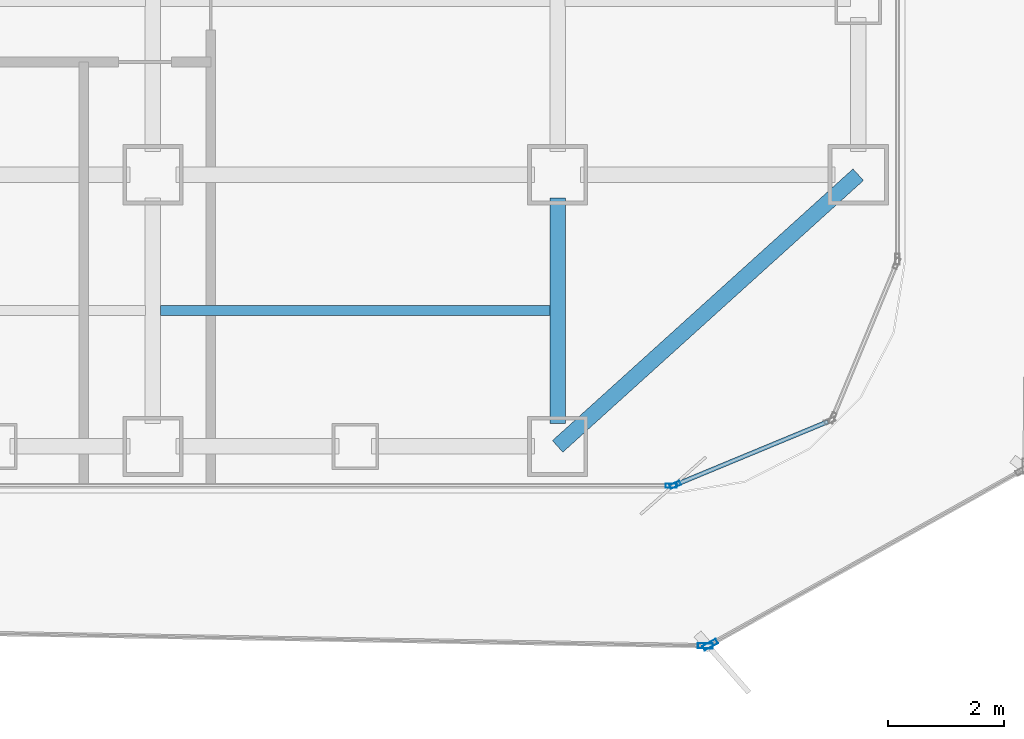
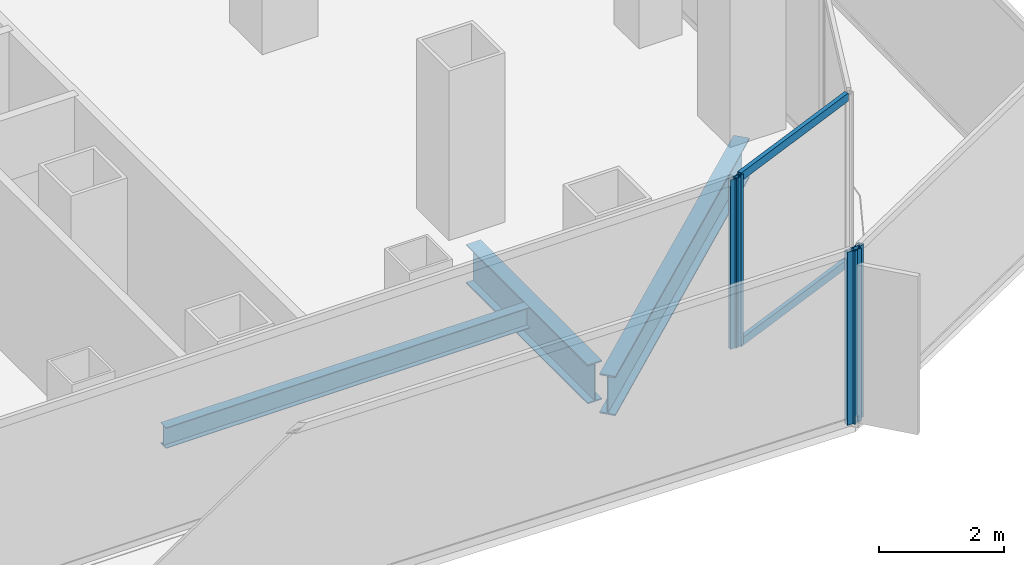
# One storey, part 6 of 21: 6 members, 3 beams, 4 elements without a shape of their own.
"""IFC4 building model written with IfcOpenShell, lengths in metres."""

from ifc_helpers import new_model, si_unit, direction, frame, origin, origin_2d, place, context, subcontext, project, spatial, hollow_rectangle, i_section, extrude, source, transform, mapped, material, layer, layer_set, material_profile, profile_set, type_object, element, aggregate, save


model = new_model("IFC4")

# Units and contexts
model_context = context("Model", 3, precision=1e-05, world=origin(), true_north=direction((0.0, 1.0)))
body_context = subcontext(model_context, "Body", "Model", "MODEL_VIEW")
ifc_project = project(units=[si_unit("LENGTHUNIT", "METRE"), si_unit("AREAUNIT", "SQUARE_METRE"), si_unit("VOLUMEUNIT", "CUBIC_METRE"), si_unit("PLANEANGLEUNIT", "RADIAN"), si_unit("MASSUNIT", "GRAM", prefix="KILO")], contexts=[model_context])

# Site, building, storey
site_placement = place(None, origin())
site = spatial("IfcSite", under=ifc_project, at=site_placement, CompositionType="ELEMENT")
building_placement = place(site_placement, origin())
building = spatial("IfcBuilding", under=site, at=building_placement, Name="Kolveth Station Tower", CompositionType="ELEMENT")
storey_placement = place(building_placement, frame((0.0, 0.0, 58.5)))
storey = spatial("IfcBuildingStorey", under=building, at=storey_placement, Name="L15", CompositionType="ELEMENT", Elevation=58.5)

# Beams
ifc_material_1 = material(Name="Steel S355", Category="steel")
ifc_material_profile_1 = material_profile(ifc_material_1, i_section(OverallWidth=0.26904296875, OverallDepth=0.77490234375, WebThickness=0.01708984375, FlangeThickness=0.0283203125, at=origin_2d()), Name="W760x220")
ifc_profile_set_1 = profile_set([ifc_material_profile_1], Name="Steel S355")
beam_type_1 = type_object("IfcBeamType", Name="Beam_SP1", PredefinedType="SPANDREL", material=ifc_profile_set_1)
shared_shape_1 = source(origin(), body_context, "Body", "SweptSolid", [
    extrude(i_section(OverallWidth=0.26904296875, OverallDepth=0.77490234375, WebThickness=0.01708984375, FlangeThickness=0.0283203125, at=origin_2d()), origin(), (0.0, 0.0, 1.0), 7.00927734375),
])
beam_1_placement = place(storey_placement, frame((41.0, 0.800048828125, -0.66748046875), z_axis=(0.741874009795, 0.670539300557, 0.0), x_axis=(-0.670539300557, 0.741874009795, 0.0)))
element("IfcBeam", 1, at=beam_1_placement, inside=storey, type_object=beam_type_1, Name="L15 Corner Edge Girder BM-L15-CNR-SE", PredefinedType="SPANDREL", context=body_context, shape_type="MappedRepresentation", body=[
    mapped(shared_shape_1, transform((0.0, 0.0, 0.0), x_axis=(1.0, 0.0, 0.0), y_axis=(0.0, 1.0, 0.0), z_axis=(0.0, 0.0, 1.0), scale=1.0)),
])
ifc_material_profile_2 = material_profile(ifc_material_1, i_section(OverallWidth=0.26708984375, OverallDepth=0.76611328125, WebThickness=0.014892578125, FlangeThickness=0.023681640625, at=origin_2d()), Name="W760x185")
ifc_profile_set_2 = profile_set([ifc_material_profile_2], Name="Steel S355")
beam_type_2 = type_object("IfcBeamType", Name="Beam_B3", PredefinedType="BEAM", material=ifc_profile_set_2)
shared_shape_2 = source(origin(), body_context, "Body", "SweptSolid", [
    extrude(i_section(OverallWidth=0.26708984375, OverallDepth=0.76611328125, WebThickness=0.014892578125, FlangeThickness=0.023681640625, at=origin_2d()), origin(), (0.0, 0.0, 1.0), 3.900146484375),
])
beam_2_placement = place(storey_placement, frame((41.0, 1.199951171875, -0.6630859375), z_axis=(0.0, 1.0, 0.0), x_axis=(-1.0, 0.0, 0.0)))
element("IfcBeam", 2, at=beam_2_placement, inside=storey, type_object=beam_type_2, Name="L15 Primary Girder BM-L15-GX410-1", PredefinedType="BEAM", context=body_context, shape_type="MappedRepresentation", body=[
    mapped(shared_shape_2, transform((0.0, 0.0, 0.0), x_axis=(1.0, 0.0, 0.0), y_axis=(0.0, 1.0, 0.0), z_axis=(0.0, 0.0, 1.0), scale=1.0)),
])
ifc_material_profile_3 = material_profile(ifc_material_1, i_section(OverallWidth=0.177978515625, OverallDepth=0.406982421875, WebThickness=0.0078125, FlangeThickness=0.0126953125, at=origin_2d()), Name="W410x60")
ifc_profile_set_3 = profile_set([ifc_material_profile_3], Name="Steel S355")
beam_type_3 = type_object("IfcBeamType", Name="Beam_J1", PredefinedType="JOIST", material=ifc_profile_set_3)
shared_shape_3 = source(origin(), body_context, "Body", "SweptSolid", [
    extrude(i_section(OverallWidth=0.177978515625, OverallDepth=0.406982421875, WebThickness=0.0078125, FlangeThickness=0.0126953125, at=origin_2d()), origin(), (0.0, 0.0, 1.0), 6.73681640625),
])
beam_3_placement = place(storey_placement, frame((34.131591796875, 3.14990234375, -0.4833984375), z_axis=(1.0, 0.0, 0.0), x_axis=(0.0, 1.0, 0.0)))
element("IfcBeam", 3, at=beam_3_placement, inside=storey, type_object=beam_type_3, Name="L15 Secondary Joist JST-L15-6-1", PredefinedType="JOIST", context=body_context, shape_type="MappedRepresentation", body=[
    mapped(shared_shape_3, transform((0.0, 0.0, 0.0), x_axis=(1.0, 0.0, 0.0), y_axis=(0.0, 1.0, 0.0), z_axis=(0.0, 0.0, 1.0), scale=1.0)),
])

# Curtain wall, member
ifc_material_2 = material(Name="Aluminium 6063-T6 and low-E dark glass", Category="aluminium")
ifc_layer_1 = layer(ifc_material_2, 0.179931640625)
ifc_layer_set_1 = layer_set([ifc_layer_1], Name="Aluminium 6063-T6 and low-E dark glass")
curtain_wall_type_1 = type_object("IfcCurtainWallType", Name="CurtainWall_CW-Z1", PredefinedType="NOTDEFINED", material=ifc_layer_set_1)
curtain_wall_1_placement = place(storey_placement, origin())
curtain_wall_1 = element("IfcCurtainWall", 4, at=curtain_wall_1_placement, inside=storey, type_object=curtain_wall_type_1, Name="L15 Inner Thermal Curtain Wall 1", PredefinedType="NOTDEFINED")
ifc_material_3 = material(Name="Black anodized aluminium 6063-T6", Category="aluminium")
ifc_material_profile_4 = material_profile(ifc_material_3, hollow_rectangle(XDim=0.074951171875, YDim=0.18994140625, WallThickness=0.0048828125, at=origin_2d()), Name="ALU-75x190x5")
ifc_profile_set_4 = profile_set([ifc_material_profile_4], Name="Black anodized aluminium 6063-T6")
member_type_1 = type_object("IfcMemberType", Name="Mullion_ML1", PredefinedType="MULLION", material=ifc_profile_set_4)
shared_shape_4 = source(origin(), body_context, "Body", "SweptSolid", [
    extrude(hollow_rectangle(XDim=0.074951171875, YDim=0.18994140625, WallThickness=0.0048828125, at=origin_2d()), origin(), (0.0, 0.0, 1.0), 3.320068359375),
])
member_1_placement = place(storey_placement, frame((43.03466796875, 0.13427734375, 0.0), z_axis=(0.0, 0.0, 1.0), x_axis=(-0.382672990201, 0.923883857728, 0.0)))
member_1 = element("IfcMember", 5, at=member_1_placement, type_object=member_type_1, Name="CW-Z1 mullion 1", PredefinedType="MULLION", context=body_context, shape_type="MappedRepresentation", body=[
    mapped(shared_shape_4, transform((0.0, 0.0, 0.0), x_axis=(1.0, 0.0, 0.0), y_axis=(0.0, 1.0, 0.0), z_axis=(0.0, 0.0, 1.0), scale=1.0)),
])

curtain_wall_2_placement = place(storey_placement, origin())
curtain_wall_2 = element("IfcCurtainWall", 6, at=curtain_wall_2_placement, inside=storey, type_object=curtain_wall_type_1, Name="L15 Inner Thermal Curtain Wall 12", PredefinedType="NOTDEFINED")
member_2_placement = place(storey_placement, frame((42.96240234375, 0.1201171875, 0.0), z_axis=(0.0, 0.0, 1.0), x_axis=(0.0, 1.0, 0.0)))
member_2 = element("IfcMember", 7, at=member_2_placement, type_object=member_type_1, Name="CW-Z1 mullion 3", PredefinedType="MULLION", context=body_context, shape_type="MappedRepresentation", body=[
    mapped(shared_shape_4, transform((0.0, 0.0, 0.0), x_axis=(1.0, 0.0, 0.0), y_axis=(0.0, 1.0, 0.0), z_axis=(0.0, 0.0, 1.0), scale=1.0)),
])
aggregate(curtain_wall_2, [member_2])

# Member
ifc_material_profile_5 = material_profile(ifc_material_3, hollow_rectangle(XDim=0.074951171875, YDim=0.159912109375, WallThickness=0.0048828125, at=origin_2d()), Name="ALU-75x160x5")
ifc_profile_set_5 = profile_set([ifc_material_profile_5], Name="Black anodized aluminium 6063-T6")
member_type_2 = type_object("IfcMemberType", Name="Transom_TR1", PredefinedType="USERDEFINED", material=ifc_profile_set_5)
shared_shape_5 = source(origin(), body_context, "Body", "SweptSolid", [
    extrude(hollow_rectangle(XDim=0.074951171875, YDim=0.159912109375, WallThickness=0.0048828125, at=origin_2d()), origin(), (0.0, 0.0, 1.0), 2.819580078125),
])
member_3_placement = place(storey_placement, frame((43.0693359375, 0.148681640625, 0.03759765625), z_axis=(0.923869084389, 0.382708655389, 0.0), x_axis=(-0.382708655389, 0.923869084389, 0.0)))
member_3 = element("IfcMember", 8, at=member_3_placement, type_object=member_type_2, Name="CW-Z1 transom 1.1", ObjectType="TRANSOM", PredefinedType="USERDEFINED", context=body_context, shape_type="MappedRepresentation", body=[
    mapped(shared_shape_5, transform((0.0, 0.0, 0.0), x_axis=(1.0, 0.0, 0.0), y_axis=(0.0, 1.0, 0.0), z_axis=(0.0, 0.0, 1.0), scale=1.0)),
])

member_4_placement = place(storey_placement, frame((43.0693359375, 0.148681640625, 3.282470703125), z_axis=(0.923869084389, 0.382708655389, 0.0), x_axis=(-0.382708655389, 0.923869084389, 0.0)))
member_4 = element("IfcMember", 9, at=member_4_placement, type_object=member_type_2, Name="CW-Z1 transom 1.2", ObjectType="TRANSOM", PredefinedType="USERDEFINED", context=body_context, shape_type="MappedRepresentation", body=[
    mapped(shared_shape_5, transform((0.0, 0.0, 0.0), x_axis=(1.0, 0.0, 0.0), y_axis=(0.0, 1.0, 0.0), z_axis=(0.0, 0.0, 1.0), scale=1.0)),
])

aggregate(curtain_wall_1, [member_1, member_3, member_4])

# Curtain wall, member
ifc_material_4 = material(Name="Black anodized aluminium 6063-T6 and dark solar glass", Category="aluminium")
ifc_layer_2 = layer(ifc_material_4, 0.159912109375)
ifc_layer_set_2 = layer_set([ifc_layer_2], Name="Black anodized aluminium 6063-T6 and dark solar glass")
curtain_wall_type_2 = type_object("IfcCurtainWallType", Name="OUTER SKIN CW-OS", PredefinedType="NOTDEFINED", material=ifc_layer_set_2)
curtain_wall_3_placement = place(storey_placement, origin())
curtain_wall_3 = element("IfcCurtainWall", 10, at=curtain_wall_3_placement, inside=storey, type_object=curtain_wall_type_2, Name="L15 Outer Ventilated Skin Curtain Wall 1", PredefinedType="NOTDEFINED")
ifc_material_profile_6 = material_profile(ifc_material_3, hollow_rectangle(XDim=0.090087890625, YDim=0.260009765625, WallThickness=0.0048828125, at=origin_2d()), Name="ALU-90x260x5")
ifc_profile_set_6 = profile_set([ifc_material_profile_6], Name="Black anodized aluminium 6063-T6")
member_type_3 = type_object("IfcMemberType", Name="FIN MULLION ML-OS", PredefinedType="MULLION", material=ifc_profile_set_6)
shared_shape_6 = source(origin(), body_context, "Body", "SweptSolid", [
    extrude(hollow_rectangle(XDim=0.090087890625, YDim=0.260009765625, WallThickness=0.0048828125, at=origin_2d()), origin(), (0.0, 0.0, 1.0), 3.389892578125),
])
member_5_placement = place(storey_placement, frame((43.640625, -2.62939453125, 0.0), z_axis=(0.0, 0.0, 1.0), x_axis=(-0.487713670316, 0.873003651646, 0.0)))
member_5 = element("IfcMember", 11, at=member_5_placement, type_object=member_type_3, Name="CW-OS mullion 1", PredefinedType="MULLION", context=body_context, shape_type="MappedRepresentation", body=[
    mapped(shared_shape_6, transform((0.0, 0.0, 0.0), x_axis=(1.0, 0.0, 0.0), y_axis=(0.0, 1.0, 0.0), z_axis=(0.0, 0.0, 1.0), scale=1.0)),
])
aggregate(curtain_wall_3, [member_5])

curtain_wall_4_placement = place(storey_placement, origin())
curtain_wall_4 = element("IfcCurtainWall", 12, at=curtain_wall_4_placement, inside=storey, type_object=curtain_wall_type_2, Name="L15 Outer Ventilated Skin Curtain Wall 8", PredefinedType="NOTDEFINED")
member_6_placement = place(storey_placement, frame((43.556396484375, -2.650634765625, 0.0), z_axis=(0.0, 0.0, 1.0), x_axis=(0.017078020466, 0.999854159974, 0.0)))
member_6 = element("IfcMember", 13, at=member_6_placement, type_object=member_type_3, Name="CW-OS mullion 2", PredefinedType="MULLION", context=body_context, shape_type="MappedRepresentation", body=[
    mapped(shared_shape_6, transform((0.0, 0.0, 0.0), x_axis=(1.0, 0.0, 0.0), y_axis=(0.0, 1.0, 0.0), z_axis=(0.0, 0.0, 1.0), scale=1.0)),
])
aggregate(curtain_wall_4, [member_6])

save(model, "model.ifc")
